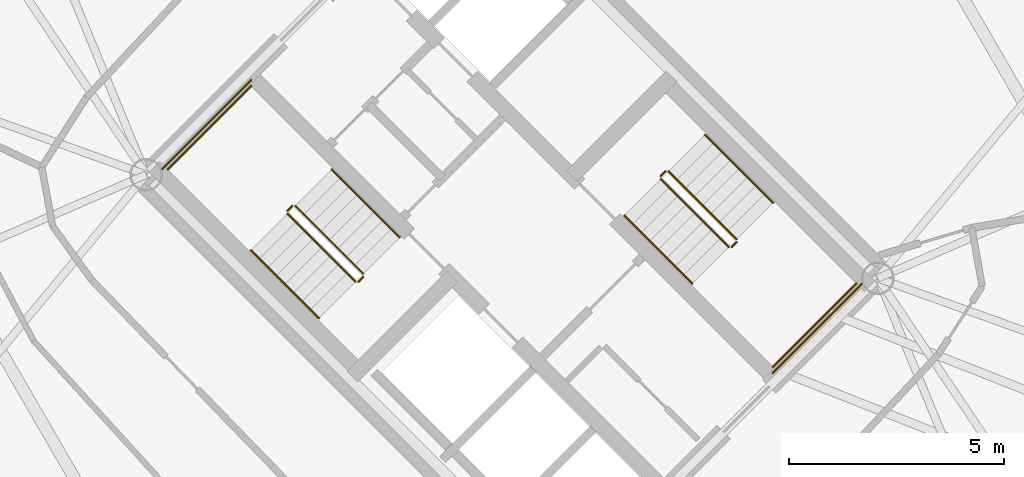
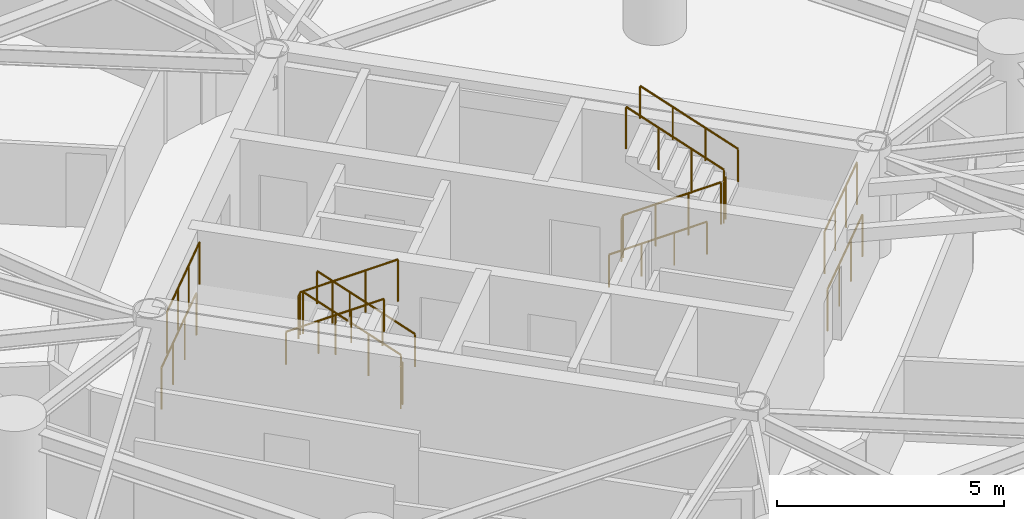
# One storey, part 17 of 18: 16 railings.
"""IFC4 building model written with IfcOpenShell, lengths in metres."""

from ifc_helpers import new_model, si_unit, direction, frame, origin, origin_2d, place, context, subcontext, project, spatial, circle, extrude, material, type_object, element, save


model = new_model("IFC4")

# Units and contexts
model_context = context("Model", 3, precision=1e-05, world=origin(), true_north=direction((0.0, 1.0)))
body_context = subcontext(model_context, "Body", "Model", "MODEL_VIEW")
ifc_project = project(units=[si_unit("LENGTHUNIT", "METRE"), si_unit("AREAUNIT", "SQUARE_METRE"), si_unit("VOLUMEUNIT", "CUBIC_METRE"), si_unit("PLANEANGLEUNIT", "RADIAN"), si_unit("MASSUNIT", "GRAM", prefix="KILO")], contexts=[model_context])

# Site, building, storey
site_placement = place(None, origin())
site = spatial("IfcSite", under=ifc_project, at=site_placement, CompositionType="ELEMENT")
building_placement = place(site_placement, origin())
building = spatial("IfcBuilding", under=site, at=building_placement, Name="Cununo Teusaquillo Station Towers", CompositionType="ELEMENT")
storey_placement = place(building_placement, frame((0.0, 0.0, 119.6201171875)))
storey = spatial("IfcBuildingStorey", under=building, at=storey_placement, Name="L38", CompositionType="ELEMENT", Elevation=119.6201171875)

# Railings
ifc_material_1 = material(Name="Steel EN 10025-2 S355J2", Category="steel")
railing_type_1 = type_object("IfcRailingType", Name="RL-INT-GUARD", PredefinedType="GUARDRAIL", material=ifc_material_1)
railing_1_placement = place(storey_placement, frame((54.03515625, 23.39697265625, 0.16162109375)))
element("IfcRailing", 1, at=railing_1_placement, inside=storey, type_object=railing_type_1, Name="L38 ST-T2-1 stair guard 1", PredefinedType="GUARDRAIL", context=body_context, shape_type="SweptSolid", body=[
    extrude(circle(Radius=0.02392578125, at=origin_2d()), frame((0.0, 0.0, 1.1259765625), z_axis=(-0.612361259024, 0.612361259024, 0.500027376144), x_axis=(-0.707106781187, -0.707106781187, 0.0)), (0.0, 0.0, 1.0), 2.586181640625),
    extrude(circle(Radius=0.02099609375, at=origin_2d()), origin(), (0.0, 0.0, 1.0), 1.101806640625),
    extrude(circle(Radius=0.02099609375, at=origin_2d()), frame((-0.52783203125, 0.52783203125, 0.43115234375)), (0.0, 0.0, 1.0), 1.101806640625),
    extrude(circle(Radius=0.02099609375, at=origin_2d()), frame((-1.055908203125, 1.055908203125, 0.862060546875)), (0.0, 0.0, 1.0), 1.101806640625),
    extrude(circle(Radius=0.02099609375, at=origin_2d()), frame((-1.583740234375, 1.583740234375, 1.293212890625)), (0.0, 0.0, 1.0), 1.101806640625),
])
railing_2_placement = place(storey_placement, frame((52.380615234375, 24.980712890625, 1.454833984375)))
element("IfcRailing", 2, at=railing_2_placement, inside=storey, type_object=railing_type_1, Name="L38 ST-T2-1 stair guard 2", PredefinedType="GUARDRAIL", context=body_context, shape_type="SweptSolid", body=[
    extrude(circle(Radius=0.02392578125, at=origin_2d()), frame((0.0, 0.0, 1.1259765625), z_axis=(-0.7078691598, -0.706343579714, 0.0), x_axis=(0.706343579714, -0.7078691598, 0.0)), (0.0, 0.0, 1.0), 0.159912109375),
    extrude(circle(Radius=0.02099609375, at=origin_2d()), origin(), (0.0, 0.0, 1.0), 1.101806640625),
    extrude(circle(Radius=0.02099609375, at=origin_2d()), frame((-0.11328125, -0.113037109375, 0.0)), (0.0, 0.0, 1.0), 1.101806640625),
])
railing_3_placement = place(storey_placement, frame((51.426025390625, 27.77392578125, 1.454833984375)))
element("IfcRailing", 3, at=railing_3_placement, inside=storey, type_object=railing_type_1, Name="L38 ST-T2-1 stair guard 3", PredefinedType="GUARDRAIL", context=body_context, shape_type="SweptSolid", body=[
    extrude(circle(Radius=0.02392578125, at=origin_2d()), frame((0.0, 0.0, 1.1259765625), z_axis=(-0.707106781187, -0.707106781187, 0.0), x_axis=(0.707106781187, -0.707106781187, 0.0)), (0.0, 0.0, 1.0), 2.760009765625),
    extrude(circle(Radius=0.02099609375, at=origin_2d()), origin(), (0.0, 0.0, 1.0), 1.101806640625),
    extrude(circle(Radius=0.02099609375, at=origin_2d()), frame((-0.650634765625, -0.650634765625, 0.0)), (0.0, 0.0, 1.0), 1.101806640625),
    extrude(circle(Radius=0.02099609375, at=origin_2d()), frame((-1.301025390625, -1.301025390625, 0.0)), (0.0, 0.0, 1.0), 1.101806640625),
    extrude(circle(Radius=0.02099609375, at=origin_2d()), frame((-1.95166015625, -1.95166015625, 0.0)), (0.0, 0.0, 1.0), 1.101806640625),
])
railing_4_placement = place(storey_placement, frame((52.267333984375, 24.796875, 1.616455078125)))
element("IfcRailing", 4, at=railing_4_placement, inside=storey, type_object=railing_type_1, Name="L38 ST-T2-1 stair guard 4", PredefinedType="GUARDRAIL", context=body_context, shape_type="SweptSolid", body=[
    extrude(circle(Radius=0.02392578125, at=origin_2d()), frame((0.0, 0.0, 1.1259765625), z_axis=(0.612391349474, -0.612296961165, 0.500069261639), x_axis=(0.707052281454, 0.707161276719, 0.0)), (0.0, 0.0, 1.0), 2.586669921875),
    extrude(circle(Radius=0.02099609375, at=origin_2d()), origin(), (0.0, 0.0, 1.0), 1.101806640625),
    extrude(circle(Radius=0.02099609375, at=origin_2d()), frame((0.528076171875, -0.52783203125, 0.43115234375)), (0.0, 0.0, 1.0), 1.101806640625),
    extrude(circle(Radius=0.02099609375, at=origin_2d()), frame((1.055908203125, -1.055908203125, 0.8623046875)), (0.0, 0.0, 1.0), 1.101806640625),
    extrude(circle(Radius=0.02099609375, at=origin_2d()), frame((1.583984375, -1.583740234375, 1.29345703125)), (0.0, 0.0, 1.0), 1.101806640625),
])
railing_5_placement = place(storey_placement, frame((54.03515625, 23.326171875, 0.0)))
element("IfcRailing", 5, at=railing_5_placement, inside=storey, type_object=railing_type_1, Name="L38 ST-T2-1 stair guard 5", PredefinedType="GUARDRAIL", context=body_context, shape_type="SweptSolid", body=[
    extrude(circle(Radius=0.02392578125, at=origin_2d()), frame((0.0, 0.0, 1.1259765625), z_axis=(-0.707106781187, -0.707106781187, 0.0), x_axis=(0.707106781187, -0.707106781187, 0.0)), (0.0, 0.0, 1.0), 0.159912109375),
    extrude(circle(Radius=0.02099609375, at=origin_2d()), origin(), (0.0, 0.0, 1.0), 1.101806640625),
    extrude(circle(Radius=0.02099609375, at=origin_2d()), frame((-0.113037109375, -0.113037109375, 0.0)), (0.0, 0.0, 1.0), 1.101806640625),
])
railing_6_placement = place(storey_placement, frame((51.426025390625, 27.915283203125, 0.0)))
element("IfcRailing", 6, at=railing_6_placement, inside=storey, type_object=railing_type_1, Name="L38 ST-T2-1 stair guard 6", PredefinedType="GUARDRAIL", context=body_context, shape_type="SweptSolid", body=[
    extrude(circle(Radius=0.02392578125, at=origin_2d()), frame((0.0, 0.0, 1.1259765625), z_axis=(-0.707106781187, -0.707106781187, 0.0), x_axis=(0.707106781187, -0.707106781187, 0.0)), (0.0, 0.0, 1.0), 2.9599609375),
    extrude(circle(Radius=0.02099609375, at=origin_2d()), origin(), (0.0, 0.0, 1.0), 1.101806640625),
    extrude(circle(Radius=0.02099609375, at=origin_2d()), frame((-0.69775390625, -0.69775390625, 0.0)), (0.0, 0.0, 1.0), 1.101806640625),
    extrude(circle(Radius=0.02099609375, at=origin_2d()), frame((-1.395263671875, -1.395263671875, 0.0)), (0.0, 0.0, 1.0), 1.101806640625),
    extrude(circle(Radius=0.02099609375, at=origin_2d()), frame((-2.093017578125, -2.093017578125, 0.0)), (0.0, 0.0, 1.0), 1.101806640625),
])
railing_7_placement = place(storey_placement, frame((60.96484375, 25.60302734375, 0.16162109375)))
element("IfcRailing", 7, at=railing_7_placement, inside=storey, type_object=railing_type_1, Name="L38 ST-T2-2 stair guard 1", PredefinedType="GUARDRAIL", context=body_context, shape_type="SweptSolid", body=[
    extrude(circle(Radius=0.02392578125, at=origin_2d()), frame((0.0, 0.0, 1.1259765625), z_axis=(0.612361259024, -0.612361259024, 0.500027376144), x_axis=(0.707106781187, 0.707106781187, 0.0)), (0.0, 0.0, 1.0), 2.586181640625),
    extrude(circle(Radius=0.02099609375, at=origin_2d()), origin(), (0.0, 0.0, 1.0), 1.101806640625),
    extrude(circle(Radius=0.02099609375, at=origin_2d()), frame((0.52783203125, -0.52783203125, 0.43115234375)), (0.0, 0.0, 1.0), 1.101806640625),
    extrude(circle(Radius=0.02099609375, at=origin_2d()), frame((1.055908203125, -1.055908203125, 0.862060546875)), (0.0, 0.0, 1.0), 1.101806640625),
    extrude(circle(Radius=0.02099609375, at=origin_2d()), frame((1.583740234375, -1.583740234375, 1.293212890625)), (0.0, 0.0, 1.0), 1.101806640625),
])
railing_8_placement = place(storey_placement, frame((62.619384765625, 24.019287109375, 1.454833984375)))
element("IfcRailing", 8, at=railing_8_placement, inside=storey, type_object=railing_type_1, Name="L38 ST-T2-2 stair guard 2", PredefinedType="GUARDRAIL", context=body_context, shape_type="SweptSolid", body=[
    extrude(circle(Radius=0.02392578125, at=origin_2d()), frame((0.0, 0.0, 1.1259765625), z_axis=(0.7078691598, 0.706343579714, 0.0), x_axis=(-0.706343579714, 0.7078691598, 0.0)), (0.0, 0.0, 1.0), 0.159912109375),
    extrude(circle(Radius=0.02099609375, at=origin_2d()), origin(), (0.0, 0.0, 1.0), 1.101806640625),
    extrude(circle(Radius=0.02099609375, at=origin_2d()), frame((0.11328125, 0.113037109375, 0.0)), (0.0, 0.0, 1.0), 1.101806640625),
])
railing_9_placement = place(storey_placement, frame((63.573974609375, 21.22607421875, 1.454833984375)))
element("IfcRailing", 9, at=railing_9_placement, inside=storey, type_object=railing_type_1, Name="L38 ST-T2-2 stair guard 3", PredefinedType="GUARDRAIL", context=body_context, shape_type="SweptSolid", body=[
    extrude(circle(Radius=0.02392578125, at=origin_2d()), frame((0.0, 0.0, 1.1259765625), z_axis=(0.707106781187, 0.707106781187, 0.0), x_axis=(-0.707106781187, 0.707106781187, 0.0)), (0.0, 0.0, 1.0), 2.760009765625),
    extrude(circle(Radius=0.02099609375, at=origin_2d()), origin(), (0.0, 0.0, 1.0), 1.101806640625),
    extrude(circle(Radius=0.02099609375, at=origin_2d()), frame((0.650634765625, 0.650634765625, 0.0)), (0.0, 0.0, 1.0), 1.101806640625),
    extrude(circle(Radius=0.02099609375, at=origin_2d()), frame((1.301025390625, 1.301025390625, 0.0)), (0.0, 0.0, 1.0), 1.101806640625),
    extrude(circle(Radius=0.02099609375, at=origin_2d()), frame((1.95166015625, 1.95166015625, 0.0)), (0.0, 0.0, 1.0), 1.101806640625),
])
railing_10_placement = place(storey_placement, frame((62.732666015625, 24.203125, 1.616455078125)))
element("IfcRailing", 10, at=railing_10_placement, inside=storey, type_object=railing_type_1, Name="L38 ST-T2-2 stair guard 4", PredefinedType="GUARDRAIL", context=body_context, shape_type="SweptSolid", body=[
    extrude(circle(Radius=0.02392578125, at=origin_2d()), frame((0.0, 0.0, 1.1259765625), z_axis=(-0.612391349474, 0.612296961165, 0.500069261639), x_axis=(-0.707052281454, -0.707161276719, 0.0)), (0.0, 0.0, 1.0), 2.586669921875),
    extrude(circle(Radius=0.02099609375, at=origin_2d()), origin(), (0.0, 0.0, 1.0), 1.101806640625),
    extrude(circle(Radius=0.02099609375, at=origin_2d()), frame((-0.528076171875, 0.52783203125, 0.43115234375)), (0.0, 0.0, 1.0), 1.101806640625),
    extrude(circle(Radius=0.02099609375, at=origin_2d()), frame((-1.055908203125, 1.055908203125, 0.8623046875)), (0.0, 0.0, 1.0), 1.101806640625),
    extrude(circle(Radius=0.02099609375, at=origin_2d()), frame((-1.583984375, 1.583740234375, 1.29345703125)), (0.0, 0.0, 1.0), 1.101806640625),
])
railing_11_placement = place(storey_placement, frame((60.96484375, 25.673828125, 0.0)))
element("IfcRailing", 11, at=railing_11_placement, inside=storey, type_object=railing_type_1, Name="L38 ST-T2-2 stair guard 5", PredefinedType="GUARDRAIL", context=body_context, shape_type="SweptSolid", body=[
    extrude(circle(Radius=0.02392578125, at=origin_2d()), frame((0.0, 0.0, 1.1259765625), z_axis=(0.707106781187, 0.707106781187, 0.0), x_axis=(-0.707106781187, 0.707106781187, 0.0)), (0.0, 0.0, 1.0), 0.159912109375),
    extrude(circle(Radius=0.02099609375, at=origin_2d()), origin(), (0.0, 0.0, 1.0), 1.101806640625),
    extrude(circle(Radius=0.02099609375, at=origin_2d()), frame((0.113037109375, 0.113037109375, 0.0)), (0.0, 0.0, 1.0), 1.101806640625),
])
railing_12_placement = place(storey_placement, frame((63.573974609375, 21.084716796875, 0.0)))
element("IfcRailing", 12, at=railing_12_placement, inside=storey, type_object=railing_type_1, Name="L38 ST-T2-2 stair guard 6", PredefinedType="GUARDRAIL", context=body_context, shape_type="SweptSolid", body=[
    extrude(circle(Radius=0.02392578125, at=origin_2d()), frame((0.0, 0.0, 1.1259765625), z_axis=(0.707106781187, 0.707106781187, 0.0), x_axis=(-0.707106781187, 0.707106781187, 0.0)), (0.0, 0.0, 1.0), 2.9599609375),
    extrude(circle(Radius=0.02099609375, at=origin_2d()), origin(), (0.0, 0.0, 1.0), 1.101806640625),
    extrude(circle(Radius=0.02099609375, at=origin_2d()), frame((0.69775390625, 0.69775390625, 0.0)), (0.0, 0.0, 1.0), 1.101806640625),
    extrude(circle(Radius=0.02099609375, at=origin_2d()), frame((1.395263671875, 1.395263671875, 0.0)), (0.0, 0.0, 1.0), 1.101806640625),
    extrude(circle(Radius=0.02099609375, at=origin_2d()), frame((2.093017578125, 2.093017578125, 0.0)), (0.0, 0.0, 1.0), 1.101806640625),
])
ifc_material_2 = material(Name="Steel EN 10025-2 S355J2", Category="steel")
railing_type_2 = type_object("IfcRailingType", Name="RL-INT-HRAIL", PredefinedType="HANDRAIL", material=ifc_material_2)
railing_13_placement = place(storey_placement, frame((54.8837890625, 24.245361328125, 0.16162109375)))
element("IfcRailing", 13, at=railing_13_placement, inside=storey, type_object=railing_type_2, Name="L38 ST-T2-1 stair handrail 1", PredefinedType="HANDRAIL", context=body_context, shape_type="SweptSolid", body=[
    extrude(circle(Radius=0.02392578125, at=origin_2d()), frame((0.0, 0.0, 0.8759765625), z_axis=(-0.612384857071, 0.612384857071, 0.499969572735), x_axis=(-0.707106781187, -0.707106781187, 0.0)), (0.0, 0.0, 1.0), 2.586669921875),
    extrude(circle(Radius=0.02099609375, at=origin_2d()), origin(), (0.0, 0.0, 1.0), 0.851806640625),
    extrude(circle(Radius=0.02099609375, at=origin_2d()), frame((-0.528076171875, 0.528076171875, 0.43115234375)), (0.0, 0.0, 1.0), 0.851806640625),
    extrude(circle(Radius=0.02099609375, at=origin_2d()), frame((-1.055908203125, 1.055908203125, 0.862060546875)), (0.0, 0.0, 1.0), 0.851806640625),
    extrude(circle(Radius=0.02099609375, at=origin_2d()), frame((-1.583984375, 1.583984375, 1.293212890625)), (0.0, 0.0, 1.0), 0.851806640625),
])
railing_14_placement = place(storey_placement, frame((51.4189453125, 23.948486328125, 1.616455078125)))
element("IfcRailing", 14, at=railing_14_placement, inside=storey, type_object=railing_type_2, Name="L38 ST-T2-1 stair handrail 2", PredefinedType="HANDRAIL", context=body_context, shape_type="SweptSolid", body=[
    extrude(circle(Radius=0.02392578125, at=origin_2d()), frame((0.0, 0.0, 0.8759765625), z_axis=(0.612355957468, -0.612355957468, 0.500040361077), x_axis=(0.707106781187, 0.707106781187, 0.0)), (0.0, 0.0, 1.0), 2.586669921875),
    extrude(circle(Radius=0.02099609375, at=origin_2d()), origin(), (0.0, 0.0, 1.0), 0.851806640625),
    extrude(circle(Radius=0.02099609375, at=origin_2d()), frame((0.528076171875, -0.528076171875, 0.43115234375)), (0.0, 0.0, 1.0), 0.851806640625),
    extrude(circle(Radius=0.02099609375, at=origin_2d()), frame((1.055908203125, -1.055908203125, 0.8623046875)), (0.0, 0.0, 1.0), 0.851806640625),
    extrude(circle(Radius=0.02099609375, at=origin_2d()), frame((1.583984375, -1.583984375, 1.29345703125)), (0.0, 0.0, 1.0), 0.851806640625),
])
railing_15_placement = place(storey_placement, frame((60.1162109375, 24.754638671875, 0.16162109375)))
element("IfcRailing", 15, at=railing_15_placement, inside=storey, type_object=railing_type_2, Name="L38 ST-T2-2 stair handrail 1", PredefinedType="HANDRAIL", context=body_context, shape_type="SweptSolid", body=[
    extrude(circle(Radius=0.02392578125, at=origin_2d()), frame((0.0, 0.0, 0.8759765625), z_axis=(0.612384857071, -0.612384857071, 0.499969572735), x_axis=(0.707106781187, 0.707106781187, 0.0)), (0.0, 0.0, 1.0), 2.586669921875),
    extrude(circle(Radius=0.02099609375, at=origin_2d()), origin(), (0.0, 0.0, 1.0), 0.851806640625),
    extrude(circle(Radius=0.02099609375, at=origin_2d()), frame((0.528076171875, -0.528076171875, 0.43115234375)), (0.0, 0.0, 1.0), 0.851806640625),
    extrude(circle(Radius=0.02099609375, at=origin_2d()), frame((1.055908203125, -1.055908203125, 0.862060546875)), (0.0, 0.0, 1.0), 0.851806640625),
    extrude(circle(Radius=0.02099609375, at=origin_2d()), frame((1.583984375, -1.583984375, 1.293212890625)), (0.0, 0.0, 1.0), 0.851806640625),
])
railing_16_placement = place(storey_placement, frame((63.5810546875, 25.051513671875, 1.616455078125)))
element("IfcRailing", 16, at=railing_16_placement, inside=storey, type_object=railing_type_2, Name="L38 ST-T2-2 stair handrail 2", PredefinedType="HANDRAIL", context=body_context, shape_type="SweptSolid", body=[
    extrude(circle(Radius=0.02392578125, at=origin_2d()), frame((0.0, 0.0, 0.8759765625), z_axis=(-0.612355957468, 0.612355957468, 0.500040361077), x_axis=(-0.707106781187, -0.707106781187, 0.0)), (0.0, 0.0, 1.0), 2.586669921875),
    extrude(circle(Radius=0.02099609375, at=origin_2d()), origin(), (0.0, 0.0, 1.0), 0.851806640625),
    extrude(circle(Radius=0.02099609375, at=origin_2d()), frame((-0.528076171875, 0.528076171875, 0.43115234375)), (0.0, 0.0, 1.0), 0.851806640625),
    extrude(circle(Radius=0.02099609375, at=origin_2d()), frame((-1.055908203125, 1.055908203125, 0.8623046875)), (0.0, 0.0, 1.0), 0.851806640625),
    extrude(circle(Radius=0.02099609375, at=origin_2d()), frame((-1.583984375, 1.583984375, 1.29345703125)), (0.0, 0.0, 1.0), 0.851806640625),
])

save(model, "model.ifc")
